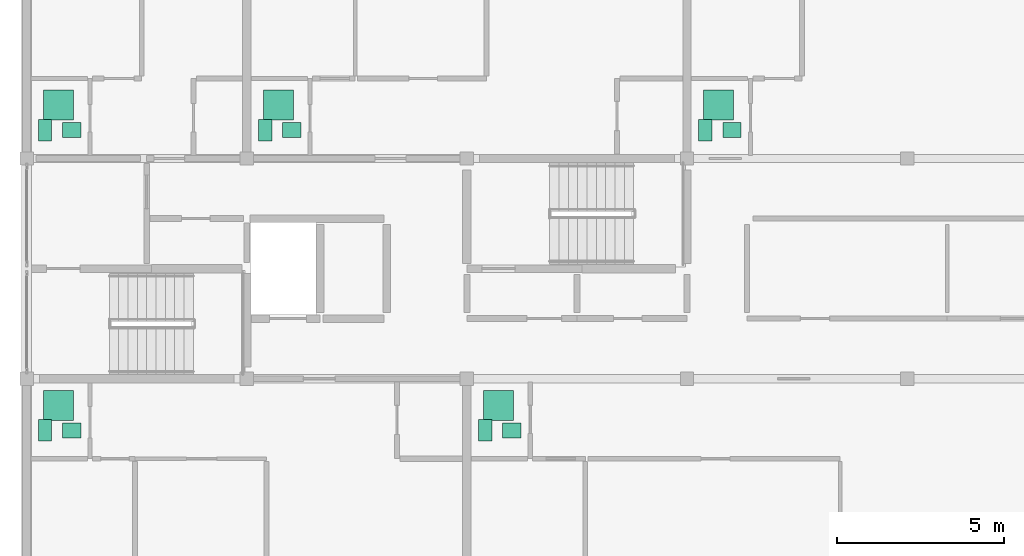
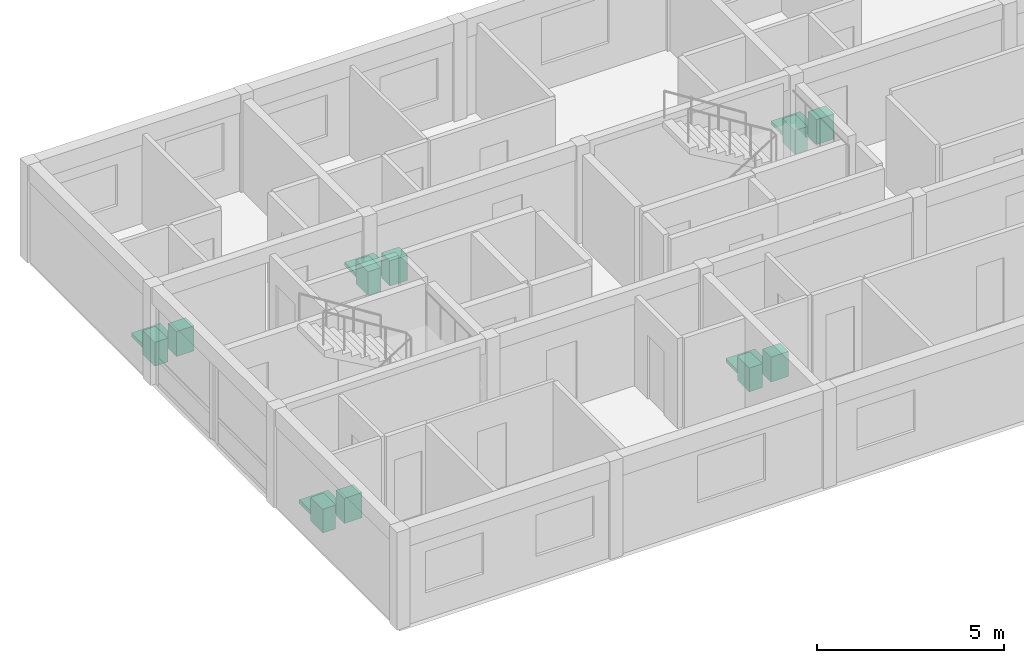
# One storey, part 12 of 12: 15 sanitary terminals.
"""IFC4 building model written with IfcOpenShell, lengths in metres."""

from ifc_helpers import new_model, si_unit, direction, frame, origin, origin_2d, place, context, subcontext, project, spatial, rectangle, extrude, material, type_object, element, save


model = new_model("IFC4")

# Units and contexts
model_context = context("Model", 3, precision=1e-05, world=origin(), true_north=direction((0.0, 1.0)))
body_context = subcontext(model_context, "Body", "Model", "MODEL_VIEW")
ifc_project = project(units=[si_unit("LENGTHUNIT", "METRE"), si_unit("AREAUNIT", "SQUARE_METRE"), si_unit("VOLUMEUNIT", "CUBIC_METRE"), si_unit("PLANEANGLEUNIT", "RADIAN"), si_unit("MASSUNIT", "GRAM", prefix="KILO")], contexts=[model_context])

# Site, building, storey
site_placement = place(None, origin())
site = spatial("IfcSite", under=ifc_project, at=site_placement, CompositionType="ELEMENT")
building_placement = place(site_placement, origin())
building = spatial("IfcBuilding", under=site, at=building_placement, Name="Kernevlak Ridge Housing Community", CompositionType="ELEMENT")
storey_placement = place(building_placement, frame((0.0, 0.0, 53.199951171875)))
storey = spatial("IfcBuildingStorey", under=building, at=storey_placement, Name="L16", CompositionType="ELEMENT", Elevation=53.199951171875)

# Sanitary terminals
ifc_material_1 = material(Name="Vitreous china ceramic")
sanitary_terminal_type_1 = type_object("IfcSanitaryTerminalType", Name="SN-BS", PredefinedType="WASHHANDBASIN", material=ifc_material_1)
for number, where, z_axis, x_axis, name in (
    (1, (16.949951171875, 81.050048828125, 0.0), (0.0, 0.0, 1.0), (1.0, 0.0, 0.0), "Washhand basin 88"),
    (2, (30.14990234375, 81.050048828125, 0.0), (0.0, 0.0, 1.0), (1.0, 0.0, 0.0), "Washhand basin 89"),
    (3, (16.949951171875, 90.050048828125, 0.0), (0.0, 0.0, 1.0), (1.0, 0.0, 0.0), "Washhand basin 90"),
    (4, (23.550048828125, 90.050048828125, 0.0), (0.0, 0.0, 1.0), (1.0, 0.0, 0.0), "Washhand basin 91"),
    (5, (36.75, 90.050048828125, 0.0), (0.0, 0.0, 1.0), (1.0, 0.0, 0.0), "Washhand basin 92"),
):
    element("IfcSanitaryTerminal", number, at=place(storey_placement, frame(where, z_axis=z_axis, x_axis=x_axis)), inside=storey, type_object=sanitary_terminal_type_1, Name=name, PredefinedType="WASHHANDBASIN", context=body_context, shape_type="SweptSolid", body=[
        extrude(rectangle(XDim=0.550048828125, YDim=0.449951171875, at=origin_2d()), origin(), (0.0, 0.0, 1.0), 0.820068359375),
    ])
ifc_material_2 = material(Name="Glazed porcelain ceramic")
sanitary_terminal_type_2 = type_object("IfcSanitaryTerminalType", Name="SN-SH", PredefinedType="SHOWER", material=ifc_material_2)
for number, where, z_axis, x_axis, name in (
    (6, (16.550048828125, 81.800048828125, 0.0), (0.0, 0.0, 1.0), (1.0, 0.0, 0.0), "Shower tray 88"),
    (7, (29.75, 81.800048828125, 0.0), (0.0, 0.0, 1.0), (1.0, 0.0, 0.0), "Shower tray 89"),
    (8, (16.550048828125, 90.800048828125, 0.0), (0.0, 0.0, 1.0), (1.0, 0.0, 0.0), "Shower tray 90"),
    (9, (23.14990234375, 90.800048828125, 0.0), (0.0, 0.0, 1.0), (1.0, 0.0, 0.0), "Shower tray 91"),
    (10, (36.35009765625, 90.800048828125, 0.0), (0.0, 0.0, 1.0), (1.0, 0.0, 0.0), "Shower tray 92"),
):
    element("IfcSanitaryTerminal", number, at=place(storey_placement, frame(where, z_axis=z_axis, x_axis=x_axis)), inside=storey, type_object=sanitary_terminal_type_2, Name=name, PredefinedType="SHOWER", context=body_context, shape_type="SweptSolid", body=[
        extrude(rectangle(XDim=0.89990234375, YDim=0.89990234375, at=origin_2d()), origin(), (0.0, 0.0, 1.0), 0.1201171875),
    ])
sanitary_terminal_type_3 = type_object("IfcSanitaryTerminalType", Name="SN-WC", PredefinedType="TOILETPAN", material=ifc_material_1)
for number, where, z_axis, x_axis, name in (
    (11, (16.14990234375, 81.050048828125, 0.0), (0.0, 0.0, 1.0), (1.0, 0.0, 0.0), "WC pan 88"),
    (12, (29.35009765625, 81.050048828125, 0.0), (0.0, 0.0, 1.0), (1.0, 0.0, 0.0), "WC pan 89"),
    (13, (16.14990234375, 90.050048828125, 0.0), (0.0, 0.0, 1.0), (1.0, 0.0, 0.0), "WC pan 90"),
    (14, (22.75, 90.050048828125, 0.0), (0.0, 0.0, 1.0), (1.0, 0.0, 0.0), "WC pan 91"),
    (15, (35.949951171875, 90.050048828125, 0.0), (0.0, 0.0, 1.0), (1.0, 0.0, 0.0), "WC pan 92"),
):
    element("IfcSanitaryTerminal", number, at=place(storey_placement, frame(where, z_axis=z_axis, x_axis=x_axis)), inside=storey, type_object=sanitary_terminal_type_3, Name=name, PredefinedType="TOILETPAN", context=body_context, shape_type="SweptSolid", body=[
        extrude(rectangle(XDim=0.39990234375, YDim=0.64990234375, at=origin_2d()), origin(), (0.0, 0.0, 1.0), 0.780029296875),
    ])

save(model, "model.ifc")
